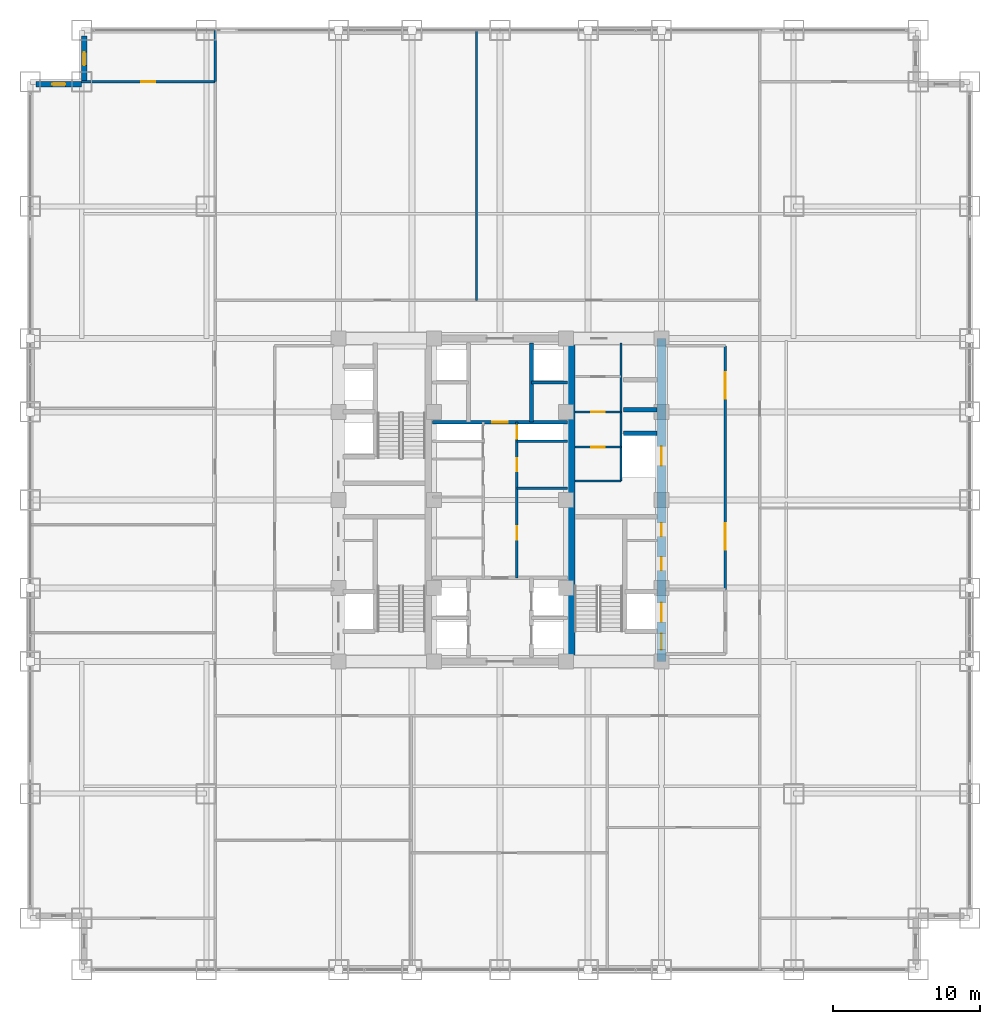
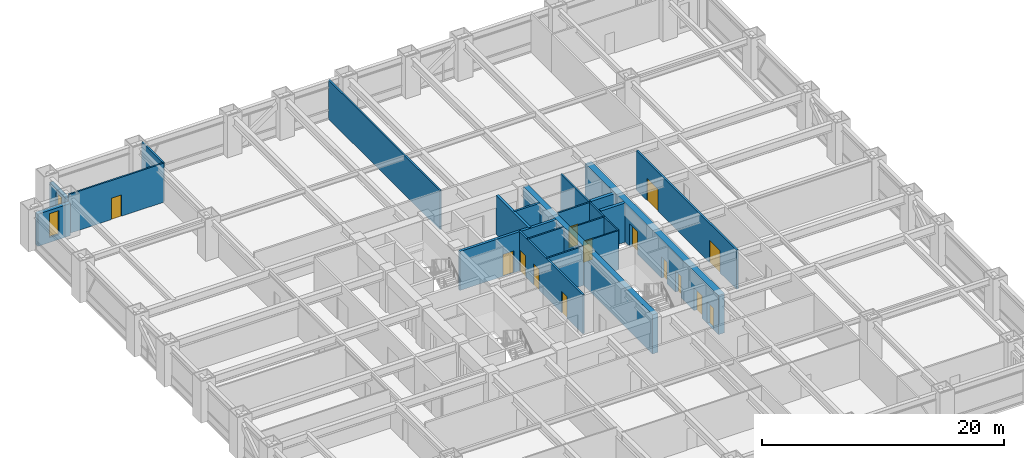
# One storey, part 26 of 28: 20 walls, 14 doors, 2 windows, 16 openings.
"""IFC4 building model written with IfcOpenShell, lengths in metres."""

from ifc_helpers import new_model, si_unit, direction, frame, frame_2d, origin, place, context, subcontext, project, spatial, rectangle, extrude, source, transform, mapped, material, layer, layer_set, type_object, element, fill, save


model = new_model("IFC4")

# Units and contexts
model_context = context("Model", 3, precision=1e-05, world=origin(), true_north=direction((0.0, 1.0)))
body_context = subcontext(model_context, "Body", "Model", "MODEL_VIEW")
ifc_project = project(units=[si_unit("LENGTHUNIT", "METRE"), si_unit("AREAUNIT", "SQUARE_METRE"), si_unit("VOLUMEUNIT", "CUBIC_METRE"), si_unit("PLANEANGLEUNIT", "RADIAN"), si_unit("MASSUNIT", "GRAM", prefix="KILO")], contexts=[model_context])

# Site, building, storey
site_placement = place(None, origin())
site = spatial("IfcSite", under=ifc_project, at=site_placement, CompositionType="ELEMENT")
building_placement = place(site_placement, origin())
building = spatial("IfcBuilding", under=site, at=building_placement, Name="Khorayat Bourse Tower", CompositionType="ELEMENT")
storey_placement = place(building_placement, frame((0.0, 0.0, 62.0)))
storey = spatial("IfcBuildingStorey", under=building, at=storey_placement, Name="L13", CompositionType="ELEMENT", Elevation=62.0)

# Wall, openings, doors
ifc_material_1 = material(Name="Concrete C60/75", Category="concrete")
ifc_layer_1 = layer(ifc_material_1, 0.60009765625)
ifc_layer_set_1 = layer_set([ifc_layer_1], Name="Concrete C60/75")
wall_type_1 = type_object("IfcWallType", Name="WAL-CORE-600", PredefinedType="SHEAR", material=ifc_layer_set_1)
shared_shape_1 = source(origin(), body_context, "Body", "SweptSolid", [
    extrude(rectangle(XDim=22.0, YDim=0.60009765625, at=frame_2d((11.0, 0.0))), origin(), (0.0, 0.0, 1.0), 3.93994140625),
])
wall_1_placement = place(storey_placement, frame((11.0, -11.0, 0.0), z_axis=(0.0, 0.0, 1.0), x_axis=(0.0, 1.0, 0.0)))
wall_1 = element("IfcWall", 1, at=wall_1_placement, inside=storey, type_object=wall_type_1, Name="L13 Core Shear Wall CORE-E", PredefinedType="SHEAR", context=body_context, shape_type="MappedRepresentation", body=[
    mapped(shared_shape_1, transform((0.0, 0.0, 0.0), scale=1.0)),
])
shared_shape_2 = source(origin(), body_context, "Body", "SweptSolid", [
    extrude(rectangle(XDim=1.10009765625, YDim=2.199951171875, at=frame_2d((0.550048828125, 1.10009765625))), frame((0.0, 0.31005859375, 0.0), z_axis=(0.0, -1.0, 0.0), x_axis=(1.0, 0.0, 0.0)), (0.0, 0.0, 1.0), 0.6201171875),
])
opening_1_placement = place(wall_1_placement, frame((0.800048828125, 0.0, 0.0)))
opening_1 = element("IfcOpeningElement", 2, at=opening_1_placement, cuts=wall_1, Name="Opening DI-01", PredefinedType="OPENING", context=body_context, shape_type="MappedRepresentation", body=[
    mapped(shared_shape_2, transform((0.0, 0.0, 0.0), scale=1.0)),
])
shared_shape_3 = source(origin(), body_context, "Body", "SweptSolid", [
    extrude(rectangle(XDim=0.89990234375, YDim=2.14990234375, at=frame_2d((0.449951171875, 1.074951171875))), frame((0.0, 0.31005859375, 0.0), z_axis=(0.0, -1.0, 0.0), x_axis=(1.0, 0.0, 0.0)), (0.0, 0.0, 1.0), 0.6201171875),
])
opening_2_placement = place(wall_1_placement, frame((6.199951171875, 0.0, 0.0)))
opening_2 = element("IfcOpeningElement", 3, at=opening_2_placement, cuts=wall_1, Name="Opening DI-06", PredefinedType="OPENING", context=body_context, shape_type="MappedRepresentation", body=[
    mapped(shared_shape_3, transform((0.0, 0.0, 0.0), scale=1.0)),
])
opening_3_placement = place(wall_1_placement, frame((8.52490234375, 0.0, 0.0)))
opening_3 = element("IfcOpeningElement", 4, at=opening_3_placement, cuts=wall_1, Name="Opening DI-06", PredefinedType="OPENING", context=body_context, shape_type="MappedRepresentation", body=[
    mapped(shared_shape_3, transform((0.0, 0.0, 0.0), scale=1.0)),
])
shared_shape_4 = source(origin(), body_context, "Body", "SweptSolid", [
    extrude(rectangle(XDim=1.300048828125, YDim=2.300048828125, at=frame_2d((0.64990234375, 1.14990234375))), frame((0.0, 0.31005859375, 0.0), z_axis=(0.0, -1.0, 0.0), x_axis=(1.0, 0.0, 0.0)), (0.0, 0.0, 1.0), 0.6201171875),
])
opening_4_placement = place(wall_1_placement, frame((2.699951171875, 0.0, 0.0)))
opening_4 = element("IfcOpeningElement", 5, at=opening_4_placement, cuts=wall_1, Name="Opening LD-02", PredefinedType="OPENING", context=body_context, shape_type="MappedRepresentation", body=[
    mapped(shared_shape_4, transform((0.0, 0.0, 0.0), scale=1.0)),
])
opening_5_placement = place(wall_1_placement, frame((13.35009765625, 0.0, 0.0)))
opening_5 = element("IfcOpeningElement", 6, at=opening_5_placement, cuts=wall_1, Name="Opening LD-02", PredefinedType="OPENING", context=body_context, shape_type="MappedRepresentation", body=[
    mapped(shared_shape_4, transform((0.0, 0.0, 0.0), scale=1.0)),
])
ifc_material_2 = material(Name="Fire-rated steel acoustic leaf", Category="steel")
door_type_1 = type_object("IfcDoorType", Name="DR-INT-STAIR-1100", OperationType="NOTDEFINED", PredefinedType="DOOR", material=ifc_material_2)
shared_shape_5 = source(origin(), body_context, "Body", "SweptSolid", [
    extrude(rectangle(XDim=1.10009765625, YDim=2.199951171875, at=frame_2d((0.550048828125, 1.10009765625))), frame((0.0, 0.02490234375, 0.0), z_axis=(0.0, -1.0, 0.0), x_axis=(1.0, 0.0, 0.0)), (0.0, 0.0, 1.0), 0.050048828125),
])
door_1_placement = place(opening_1_placement, origin())
door_1 = element("IfcDoor", 7, at=door_1_placement, inside=storey, type_object=door_type_1, Name="L13 Exit Stair 3 Door", OperationType="SINGLE_SWING_LEFT", OverallHeight=2.199951171875, OverallWidth=1.10009765625, PredefinedType="DOOR", context=body_context, shape_type="MappedRepresentation", body=[
    mapped(shared_shape_5, transform((0.0, 0.0, 0.0), scale=1.0)),
])
fill(opening_1, door_1)
ifc_material_3 = material(Name="Moisture-resistant laminate washroom door")
door_type_2 = type_object("IfcDoorType", Name="DR-INT-WC-900", OperationType="NOTDEFINED", PredefinedType="DOOR", material=ifc_material_3)
shared_shape_6 = source(origin(), body_context, "Body", "SweptSolid", [
    extrude(rectangle(XDim=0.89990234375, YDim=2.14990234375, at=frame_2d((0.449951171875, 1.074951171875))), frame((0.0, 0.02490234375, 0.0), z_axis=(0.0, -1.0, 0.0), x_axis=(1.0, 0.0, 0.0)), (0.0, 0.0, 1.0), 0.050048828125),
])
door_2_placement = place(opening_2_placement, origin())
door_2 = element("IfcDoor", 8, at=door_2_placement, inside=storey, type_object=door_type_2, Name="L13 Telecom Closet Door", OperationType="SINGLE_SWING_LEFT", OverallHeight=2.14990234375, OverallWidth=0.89990234375, PredefinedType="DOOR", context=body_context, shape_type="MappedRepresentation", body=[
    mapped(shared_shape_6, transform((0.0, 0.0, 0.0), scale=1.0)),
])
fill(opening_2, door_2)
door_3_placement = place(opening_3_placement, origin())
door_3 = element("IfcDoor", 9, at=door_3_placement, inside=storey, type_object=door_type_2, Name="L13 Stationery Store Door", OperationType="SINGLE_SWING_RIGHT", OverallHeight=2.14990234375, OverallWidth=0.89990234375, PredefinedType="DOOR", context=body_context, shape_type="MappedRepresentation", body=[
    mapped(shared_shape_6, transform((0.0, 0.0, 0.0), scale=1.0)),
])
fill(opening_3, door_3)
ifc_material_4 = material(Name="Fire-rated stainless-steel sliding landing door", Category="steel")
door_type_3 = type_object("IfcDoorType", Name="DR-LIFT-FF-1300", OperationType="NOTDEFINED", PredefinedType="DOOR", material=ifc_material_4)
shared_shape_7 = source(origin(), body_context, "Body", "SweptSolid", [
    extrude(rectangle(XDim=1.300048828125, YDim=2.300048828125, at=frame_2d((0.64990234375, 1.14990234375))), frame((0.0, 0.02490234375, 0.0), z_axis=(0.0, -1.0, 0.0), x_axis=(1.0, 0.0, 0.0)), (0.0, 0.0, 1.0), 0.050048828125),
])
door_4_placement = place(opening_4_placement, origin())
door_4 = element("IfcDoor", 10, at=door_4_placement, inside=storey, type_object=door_type_3, Name="L13 Lift FFL-02 Sliding Landing Door", OperationType="SLIDING_TO_LEFT", OverallHeight=2.300048828125, OverallWidth=1.300048828125, PredefinedType="DOOR", context=body_context, shape_type="MappedRepresentation", body=[
    mapped(shared_shape_7, transform((0.0, 0.0, 0.0), scale=1.0)),
])
fill(opening_4, door_4)
door_5_placement = place(opening_5_placement, origin())
door_5 = element("IfcDoor", 11, at=door_5_placement, inside=storey, type_object=door_type_3, Name="L13 Lift SVL-01 Sliding Landing Door", OperationType="SLIDING_TO_LEFT", OverallHeight=2.300048828125, OverallWidth=1.300048828125, PredefinedType="DOOR", context=body_context, shape_type="MappedRepresentation", body=[
    mapped(shared_shape_7, transform((0.0, 0.0, 0.0), scale=1.0)),
])
fill(opening_5, door_5)

# Wall
ifc_material_5 = material(Name="Concrete C52/65", Category="concrete")
ifc_layer_2 = layer(ifc_material_5, 0.5)
ifc_layer_set_2 = layer_set([ifc_layer_2], Name="Concrete C52/65")
wall_type_2 = type_object("IfcWallType", Name="WAL-CORE-500", PredefinedType="SHEAR", material=ifc_layer_set_2)
shared_shape_8 = source(origin(), body_context, "Body", "SweptSolid", [
    extrude(rectangle(XDim=21.39990234375, YDim=0.5, at=frame_2d((10.699951171875, 0.0))), origin(), (0.0, 0.0, 1.0), 3.93994140625),
])
wall_2_placement = place(storey_placement, frame((4.85009765625, -10.699951171875, 0.0), z_axis=(0.0, 0.0, 1.0), x_axis=(0.0, 1.0, 0.0)))
element("IfcWall", 12, at=wall_2_placement, inside=storey, type_object=wall_type_2, Name="L13 Core Shear Wall PIER-E", PredefinedType="SHEAR", context=body_context, shape_type="MappedRepresentation", body=[
    mapped(shared_shape_8, transform((0.0, 0.0, 0.0), scale=1.0)),
])

# Wall, opening, window
ifc_material_6 = material(Name="Precast concrete C45/55", Category="concrete")
ifc_layer_3 = layer(ifc_material_6, 0.3798828125)
ifc_layer_set_3 = layer_set([ifc_layer_3], Name="Precast concrete C45/55")
wall_type_3 = type_object("IfcWallType", Name="WAL-EXT-STONE-380", PredefinedType="STANDARD", material=ifc_layer_set_3)
shared_shape_9 = source(origin(), body_context, "Body", "SweptSolid", [
    extrude(rectangle(XDim=3.1201171875, YDim=0.3798828125, at=frame_2d((1.56005859375, 0.0))), origin(), (0.0, 0.0, 1.0), 3.2451171875),
])
wall_3_placement = place(storey_placement, frame((-28.31005859375, 28.5, 0.0), z_axis=(0.0, 0.0, 1.0), x_axis=(0.0, 1.0, 0.0)))
wall_3 = element("IfcWall", 13, at=wall_3_placement, inside=storey, type_object=wall_type_3, Name="L13 Re-Entrant Notch Limestone Wall NW-V", PredefinedType="STANDARD", context=body_context, shape_type="MappedRepresentation", body=[
    mapped(shared_shape_9, transform((0.0, 0.0, 0.0), scale=1.0)),
])
shared_shape_10 = source(origin(), body_context, "Body", "SweptSolid", [
    extrude(rectangle(XDim=0.89990234375, YDim=2.39990234375, at=frame_2d((0.449951171875, 1.199951171875))), frame((0.0, 0.199951171875, 0.0), z_axis=(0.0, -1.0, 0.0), x_axis=(1.0, 0.0, 0.0)), (0.0, 0.0, 1.0), 0.39990234375),
])
opening_6_placement = place(wall_3_placement, frame((1.110107421875, 0.0, 0.5)))
opening_6 = element("IfcOpeningElement", 14, at=opening_6_placement, cuts=wall_3, Name="Opening WN-03", PredefinedType="OPENING", context=body_context, shape_type="MappedRepresentation", body=[
    mapped(shared_shape_10, transform((0.0, 0.0, 0.0), scale=1.0)),
])
ifc_material_7 = material(Name="Deep-reveal solar-control double glazing", Category="glass")
window_type = type_object("IfcWindowType", Name="WIN-SLOT-900x2400", PartitioningType="SINGLE_PANEL", PredefinedType="WINDOW", material=ifc_material_7)
shared_shape_11 = source(origin(), body_context, "Body", "SweptSolid", [
    extrude(rectangle(XDim=0.89990234375, YDim=2.39990234375, at=frame_2d((0.449951171875, 1.199951171875))), frame((0.0, 0.030029296875, 0.0), z_axis=(0.0, -1.0, 0.0), x_axis=(1.0, 0.0, 0.0)), (0.0, 0.0, 1.0), 0.06005859375),
])
window_1_placement = place(opening_6_placement, origin())
window_1 = element("IfcWindow", 15, at=window_1_placement, inside=storey, type_object=window_type, Name="L13 Facade Window 1", OverallHeight=2.39990234375, OverallWidth=0.89990234375, PartitioningType="SINGLE_PANEL", PredefinedType="WINDOW", context=body_context, shape_type="MappedRepresentation", body=[
    mapped(shared_shape_11, transform((0.0, 0.0, 0.0), scale=1.0)),
])
fill(opening_6, window_1)

wall_4_placement = place(storey_placement, frame((-28.5, 28.31005859375, 0.0), z_axis=(0.0, 0.0, 1.0), x_axis=(-1.0, 0.0, 0.0)))
wall_4 = element("IfcWall", 16, at=wall_4_placement, inside=storey, type_object=wall_type_3, Name="L13 Re-Entrant Notch Limestone Wall NW-H", PredefinedType="STANDARD", context=body_context, shape_type="MappedRepresentation", body=[
    mapped(shared_shape_9, transform((0.0, 0.0, 0.0), scale=1.0)),
])
opening_7_placement = place(wall_4_placement, frame((1.110107421875, 0.0, 0.5)))
opening_7 = element("IfcOpeningElement", 17, at=opening_7_placement, cuts=wall_4, Name="Opening WN-03", PredefinedType="OPENING", context=body_context, shape_type="MappedRepresentation", body=[
    mapped(shared_shape_10, transform((0.0, 0.0, 0.0), scale=1.0)),
])
window_2_placement = place(opening_7_placement, origin())
window_2 = element("IfcWindow", 18, at=window_2_placement, inside=storey, type_object=window_type, Name="L13 Facade Window 1", OverallHeight=2.39990234375, OverallWidth=0.89990234375, PartitioningType="SINGLE_PANEL", PredefinedType="WINDOW", context=body_context, shape_type="MappedRepresentation", body=[
    mapped(shared_shape_11, transform((0.0, 0.0, 0.0), scale=1.0)),
])
fill(opening_7, window_2)

# Walls
ifc_material_8 = material(Name="Concrete C50/60", Category="concrete")
ifc_layer_4 = layer(ifc_material_8, 0.300048828125)
ifc_layer_set_4 = layer_set([ifc_layer_4], Name="Concrete C50/60")
wall_type_4 = type_object("IfcWallType", Name="WAL-SHAFT-300", PredefinedType="SHEAR", material=ifc_layer_set_4)
shared_shape_12 = source(origin(), body_context, "Body", "SweptSolid", [
    extrude(rectangle(XDim=2.300048828125, YDim=0.300048828125, at=frame_2d((1.14990234375, 0.0))), origin(), (0.0, 0.0, 1.0), 3.93994140625),
])
for number, where, z_axis, x_axis, name in (
    (19, (8.39990234375, 4.550048828125, 0.0), (0.0, 0.0, 1.0), (1.0, 0.0, 0.0), "L13 Partition WAL-L13-EPIER-SVLN"),
    (20, (8.39990234375, 6.14990234375, 0.0), (0.0, 0.0, 1.0), (1.0, 0.0, 0.0), "L13 Partition WAL-L13-EPIER-H3S"),
):
    element("IfcWall", number, at=place(storey_placement, frame(where, z_axis=z_axis, x_axis=x_axis)), inside=storey, type_object=wall_type_4, Name=name, PredefinedType="SHEAR", context=body_context, shape_type="MappedRepresentation", body=[
        mapped(shared_shape_12, transform((0.0, 0.0, 0.0), scale=1.0)),
    ])
ifc_material_9 = material(Name="Moisture-resistant masonry partition", Category="masonry")
ifc_layer_5 = layer(ifc_material_9, 0.139892578125)
ifc_layer_set_5 = layer_set([ifc_layer_5], Name="Moisture-resistant masonry partition")
wall_type_5 = type_object("IfcWallType", Name="WAL-PART-WET-140", PredefinedType="PARTITIONING", material=ifc_layer_set_5)
shared_shape_13 = source(origin(), body_context, "Body", "SweptSolid", [
    extrude(rectangle(XDim=9.39990234375, YDim=0.139892578125, at=frame_2d((4.699951171875, 0.0))), origin(), (0.0, 0.0, 1.0), 3.93994140625),
])
wall_5_placement = place(storey_placement, frame((8.25, 1.300048828125, 0.0), z_axis=(0.0, 0.0, 1.0), x_axis=(0.0, 1.0, 0.0)))
element("IfcWall", 21, at=wall_5_placement, inside=storey, type_object=wall_type_5, Name="L13 Partition WAL-L13-ECORE-E", PredefinedType="PARTITIONING", context=body_context, shape_type="MappedRepresentation", body=[
    mapped(shared_shape_13, transform((0.0, 0.0, 0.0), scale=1.0)),
])
shared_shape_14 = source(origin(), body_context, "Body", "SweptSolid", [
    extrude(rectangle(XDim=3.14990234375, YDim=0.139892578125, at=frame_2d((1.574951171875, 0.0))), origin(), (0.0, 0.0, 1.0), 3.93994140625),
])
wall_6_placement = place(storey_placement, frame((5.10009765625, 1.300048828125, 0.0), z_axis=(0.0, 0.0, 1.0), x_axis=(1.0, 0.0, 0.0)))
element("IfcWall", 22, at=wall_6_placement, inside=storey, type_object=wall_type_5, Name="L13 Partition WAL-L13-ECORE-S", PredefinedType="PARTITIONING", context=body_context, shape_type="MappedRepresentation", body=[
    mapped(shared_shape_14, transform((0.0, 0.0, 0.0), scale=1.0)),
])

# Wall, opening, door
wall_7_placement = place(storey_placement, frame((5.10009765625, 6.0, 0.0), z_axis=(0.0, 0.0, 1.0), x_axis=(1.0, 0.0, 0.0)))
wall_7 = element("IfcWall", 23, at=wall_7_placement, inside=storey, type_object=wall_type_5, Name="L13 Partition WAL-L13-ECW-H1", PredefinedType="PARTITIONING", context=body_context, shape_type="MappedRepresentation", body=[
    mapped(shared_shape_14, transform((0.0, 0.0, 0.0), scale=1.0)),
])
shared_shape_15 = source(origin(), body_context, "Body", "SweptSolid", [
    extrude(rectangle(XDim=0.89990234375, YDim=2.14990234375, at=frame_2d((0.449951171875, 1.074951171875))), frame((0.0, 0.079833984375, 0.0), z_axis=(0.0, -1.0, 0.0), x_axis=(1.0, 0.0, 0.0)), (0.0, 0.0, 1.0), 0.159912109375),
])
opening_8_placement = place(wall_7_placement, frame((1.1298828125, 0.0, 0.0)))
opening_8 = element("IfcOpeningElement", 24, at=opening_8_placement, cuts=wall_7, Name="Opening DI-06", PredefinedType="OPENING", context=body_context, shape_type="MappedRepresentation", body=[
    mapped(shared_shape_15, transform((0.0, 0.0, 0.0), scale=1.0)),
])
door_6_placement = place(opening_8_placement, origin())
door_6 = element("IfcDoor", 25, at=door_6_placement, inside=storey, type_object=door_type_2, Name="L13 Shared Washroom Door", OperationType="SINGLE_SWING_RIGHT", OverallHeight=2.14990234375, OverallWidth=0.89990234375, PredefinedType="DOOR", context=body_context, shape_type="MappedRepresentation", body=[
    mapped(shared_shape_6, transform((0.0, 0.0, 0.0), scale=1.0)),
])
fill(opening_8, door_6)

wall_8_placement = place(storey_placement, frame((5.10009765625, 3.60009765625, 0.0), z_axis=(0.0, 0.0, 1.0), x_axis=(1.0, 0.0, 0.0)))
wall_8 = element("IfcWall", 26, at=wall_8_placement, inside=storey, type_object=wall_type_5, Name="L13 Partition WAL-L13-ECW-H2", PredefinedType="PARTITIONING", context=body_context, shape_type="MappedRepresentation", body=[
    mapped(shared_shape_14, transform((0.0, 0.0, 0.0), scale=1.0)),
])
opening_9_placement = place(wall_8_placement, frame((1.1298828125, 0.0, 0.0)))
opening_9 = element("IfcOpeningElement", 27, at=opening_9_placement, cuts=wall_8, Name="Opening DI-06", PredefinedType="OPENING", context=body_context, shape_type="MappedRepresentation", body=[
    mapped(shared_shape_15, transform((0.0, 0.0, 0.0), scale=1.0)),
])
door_7_placement = place(opening_9_placement, origin())
door_7 = element("IfcDoor", 28, at=door_7_placement, inside=storey, type_object=door_type_2, Name="L13 Staff Washroom Door", OperationType="SINGLE_SWING_LEFT", OverallHeight=2.14990234375, OverallWidth=0.89990234375, PredefinedType="DOOR", context=body_context, shape_type="MappedRepresentation", body=[
    mapped(shared_shape_6, transform((0.0, 0.0, 0.0), scale=1.0)),
])
fill(opening_9, door_7)

# Wall, openings, doors
ifc_material_10 = material(Name="Gypsum plasterboard acoustic stud wall")
ifc_layer_6 = layer(ifc_material_10, 0.179931640625)
ifc_layer_set_6 = layer_set([ifc_layer_6], Name="Gypsum plasterboard acoustic stud wall")
wall_type_6 = type_object("IfcWallType", Name="WAL-PART-CORR-180", PredefinedType="PARTITIONING", material=ifc_layer_set_6)
shared_shape_16 = source(origin(), body_context, "Body", "SweptSolid", [
    extrude(rectangle(XDim=16.60009765625, YDim=0.179931640625, at=frame_2d((8.300048828125, 0.0))), origin(), (0.0, 0.0, 1.0), 3.93994140625),
])
wall_9_placement = place(storey_placement, frame((15.35009765625, -6.10009765625, 0.0), z_axis=(0.0, 0.0, 1.0), x_axis=(0.0, 1.0, 0.0)))
wall_9 = element("IfcWall", 29, at=wall_9_placement, inside=storey, type_object=wall_type_6, Name="L13 Partition WAL-L13-ELOB-E", PredefinedType="PARTITIONING", context=body_context, shape_type="MappedRepresentation", body=[
    mapped(shared_shape_16, transform((0.0, 0.0, 0.0), scale=1.0)),
])
shared_shape_17 = source(origin(), body_context, "Body", "SweptSolid", [
    extrude(rectangle(XDim=1.800048828125, YDim=2.25, at=frame_2d((0.89990234375, 1.125))), frame((0.0, 0.099853515625, 0.0), z_axis=(0.0, -1.0, 0.0), x_axis=(1.0, 0.0, 0.0)), (0.0, 0.0, 1.0), 0.199951171875),
])
opening_10_placement = place(wall_9_placement, frame((2.699951171875, 0.0, 0.0)))
opening_10 = element("IfcOpeningElement", 30, at=opening_10_placement, cuts=wall_9, Name="Opening DI-03", PredefinedType="OPENING", context=body_context, shape_type="MappedRepresentation", body=[
    mapped(shared_shape_17, transform((0.0, 0.0, 0.0), scale=1.0)),
])
opening_11_placement = place(wall_9_placement, frame((13.0, 0.0, 0.0)))
opening_11 = element("IfcOpeningElement", 31, at=opening_11_placement, cuts=wall_9, Name="Opening DI-03", PredefinedType="OPENING", context=body_context, shape_type="MappedRepresentation", body=[
    mapped(shared_shape_17, transform((0.0, 0.0, 0.0), scale=1.0)),
])
ifc_material_11 = material(Name="Fire-rated hardwood vision-panel double leaf", Category="wood")
door_type_4 = type_object("IfcDoorType", Name="DR-INT-CORR-1800", OperationType="NOTDEFINED", PredefinedType="DOOR", material=ifc_material_11)
shared_shape_18 = source(origin(), body_context, "Body", "SweptSolid", [
    extrude(rectangle(XDim=1.800048828125, YDim=2.25, at=frame_2d((0.89990234375, 1.125))), frame((0.0, 0.02490234375, 0.0), z_axis=(0.0, -1.0, 0.0), x_axis=(1.0, 0.0, 0.0)), (0.0, 0.0, 1.0), 0.050048828125),
])
door_8_placement = place(opening_10_placement, origin())
door_8 = element("IfcDoor", 32, at=door_8_placement, inside=storey, type_object=door_type_4, Name="L13 East Core Lobby South Door", OperationType="SINGLE_SWING_RIGHT", OverallHeight=2.25, OverallWidth=1.800048828125, PredefinedType="DOOR", context=body_context, shape_type="MappedRepresentation", body=[
    mapped(shared_shape_18, transform((0.0, 0.0, 0.0), scale=1.0)),
])
fill(opening_10, door_8)
door_9_placement = place(opening_11_placement, origin())
door_9 = element("IfcDoor", 33, at=door_9_placement, inside=storey, type_object=door_type_4, Name="L13 East Core Lobby North Door", OperationType="SINGLE_SWING_LEFT", OverallHeight=2.25, OverallWidth=1.800048828125, PredefinedType="DOOR", context=body_context, shape_type="MappedRepresentation", body=[
    mapped(shared_shape_18, transform((0.0, 0.0, 0.0), scale=1.0)),
])
fill(opening_11, door_9)

# Walls
ifc_material_12 = material(Name="Gypsum plasterboard twin-frame partition")
ifc_layer_7 = layer(ifc_material_12, 0.14990234375)
ifc_layer_set_7 = layer_set([ifc_layer_7], Name="Gypsum plasterboard twin-frame partition")
wall_type_7 = type_object("IfcWallType", Name="WAL-PART-SUITE-150", PredefinedType="PARTITIONING", material=ifc_layer_set_7)
shared_shape_19 = source(origin(), body_context, "Body", "SweptSolid", [
    extrude(rectangle(XDim=3.4501953125, YDim=0.14990234375, at=frame_2d((1.72509765625, 0.0))), origin(), (0.0, 0.0, 1.0), 3.93994140625),
])
wall_10_placement = place(storey_placement, frame((1.14990234375, 4.0, 0.0), z_axis=(0.0, 0.0, 1.0), x_axis=(1.0, 0.0, 0.0)))
element("IfcWall", 34, at=wall_10_placement, inside=storey, type_object=wall_type_7, Name="L13 Partition WAL-L13-CRSE-S", PredefinedType="PARTITIONING", context=body_context, shape_type="MappedRepresentation", body=[
    mapped(shared_shape_19, transform((0.0, 0.0, 0.0), scale=1.0)),
])
shared_shape_20 = source(origin(), body_context, "Body", "SweptSolid", [
    extrude(rectangle(XDim=5.39990234375, YDim=0.25, at=frame_2d((2.699951171875, 0.0))), origin(), (0.0, 0.0, 1.0), 3.93994140625),
])
wall_11_placement = place(storey_placement, frame((2.14990234375, 5.300048828125, 0.0), z_axis=(0.0, 0.0, 1.0), x_axis=(0.0, 1.0, 0.0)))
element("IfcWall", 35, at=wall_11_placement, inside=storey, type_object=wall_type_4, Name="L13 Partition WAL-L13-B2-E", PredefinedType="SHEAR", context=body_context, shape_type="MappedRepresentation", body=[
    mapped(shared_shape_20, transform((0.0, 0.0, 0.0), scale=1.0)),
])
shared_shape_21 = source(origin(), body_context, "Body", "SweptSolid", [
    extrude(rectangle(XDim=2.4501953125, YDim=0.199951171875, at=frame_2d((1.22509765625, 0.0))), origin(), (0.0, 0.0, 1.0), 3.93994140625),
])
wall_12_placement = place(storey_placement, frame((2.14990234375, 8.0, 0.0), z_axis=(0.0, 0.0, 1.0), x_axis=(1.0, 0.0, 0.0)))
element("IfcWall", 36, at=wall_12_placement, inside=storey, type_object=wall_type_4, Name="L13 Partition WAL-L13-B2-ME", PredefinedType="SHEAR", context=body_context, shape_type="MappedRepresentation", body=[
    mapped(shared_shape_21, transform((0.0, 0.0, 0.0), scale=1.0)),
])

# Wall, opening, door
shared_shape_22 = source(origin(), body_context, "Body", "SweptSolid", [
    extrude(rectangle(XDim=9.2001953125, YDim=0.25, at=frame_2d((4.60009765625, 0.0))), origin(), (0.0, 0.0, 1.0), 3.93994140625),
])
wall_13_placement = place(storey_placement, frame((-4.60009765625, 5.300048828125, 0.0), z_axis=(0.0, 0.0, 1.0), x_axis=(1.0, 0.0, 0.0)))
wall_13 = element("IfcWall", 37, at=wall_13_placement, inside=storey, type_object=wall_type_4, Name="L13 Partition WAL-L13-B2-S", PredefinedType="SHEAR", context=body_context, shape_type="MappedRepresentation", body=[
    mapped(shared_shape_22, transform((0.0, 0.0, 0.0), scale=1.0)),
])
shared_shape_23 = source(origin(), body_context, "Body", "SweptSolid", [
    extrude(rectangle(XDim=1.050048828125, YDim=2.199951171875, at=frame_2d((0.52490234375, 1.10009765625))), frame((0.0, 0.135009765625, 0.0), z_axis=(0.0, -1.0, 0.0), x_axis=(1.0, 0.0, 0.0)), (0.0, 0.0, 1.0), 0.27001953125),
])
opening_12_placement = place(wall_13_placement, frame((4.074951171875, 0.0, 0.0)))
opening_12 = element("IfcOpeningElement", 38, at=opening_12_placement, cuts=wall_13, Name="Opening DI-04", PredefinedType="OPENING", context=body_context, shape_type="MappedRepresentation", body=[
    mapped(shared_shape_23, transform((0.0, 0.0, 0.0), scale=1.0)),
])
ifc_material_13 = material(Name="Fire-rated oak veneer suite entrance door")
door_type_5 = type_object("IfcDoorType", Name="DR-INT-SUITE-1050", OperationType="NOTDEFINED", PredefinedType="DOOR", material=ifc_material_13)
shared_shape_24 = source(origin(), body_context, "Body", "SweptSolid", [
    extrude(rectangle(XDim=1.050048828125, YDim=2.199951171875, at=frame_2d((0.52490234375, 1.10009765625))), frame((0.0, 0.02490234375, 0.0), z_axis=(0.0, -1.0, 0.0), x_axis=(1.0, 0.0, 0.0)), (0.0, 0.0, 1.0), 0.050048828125),
])
door_10_placement = place(opening_12_placement, origin())
door_10 = element("IfcDoor", 39, at=door_10_placement, inside=storey, type_object=door_type_5, Name="L13 Core Spine North Door", OperationType="SINGLE_SWING_RIGHT", OverallHeight=2.199951171875, OverallWidth=1.050048828125, PredefinedType="DOOR", context=body_context, shape_type="MappedRepresentation", body=[
    mapped(shared_shape_24, transform((0.0, 0.0, 0.0), scale=1.0)),
])
fill(opening_12, door_10)

# Wall
shared_shape_25 = source(origin(), body_context, "Body", "SweptSolid", [
    extrude(rectangle(XDim=3.4501953125, YDim=0.139892578125, at=frame_2d((1.72509765625, 0.0))), origin(), (0.0, 0.0, 1.0), 3.93994140625),
])
wall_14_placement = place(storey_placement, frame((1.14990234375, 0.800048828125, 0.0), z_axis=(0.0, 0.0, 1.0), x_axis=(1.0, 0.0, 0.0)))
element("IfcWall", 40, at=wall_14_placement, inside=storey, type_object=wall_type_5, Name="L13 Partition WAL-L13-CME-D1", PredefinedType="PARTITIONING", context=body_context, shape_type="MappedRepresentation", body=[
    mapped(shared_shape_25, transform((0.0, 0.0, 0.0), scale=1.0)),
])

# Wall, openings, doors
shared_shape_26 = source(origin(), body_context, "Body", "SweptSolid", [
    extrude(rectangle(XDim=10.60009765625, YDim=0.179931640625, at=frame_2d((5.300048828125, 0.0))), origin(), (0.0, 0.0, 1.0), 3.93994140625),
])
wall_15_placement = place(storey_placement, frame((1.14990234375, -5.300048828125, 0.0), z_axis=(0.0, 0.0, 1.0), x_axis=(0.0, 1.0, 0.0)))
wall_15 = element("IfcWall", 41, at=wall_15_placement, inside=storey, type_object=wall_type_6, Name="L13 Partition WAL-L13-CME-L", PredefinedType="PARTITIONING", context=body_context, shape_type="MappedRepresentation", body=[
    mapped(shared_shape_26, transform((0.0, 0.0, 0.0), scale=1.0)),
])
shared_shape_27 = source(origin(), body_context, "Body", "SweptSolid", [
    extrude(rectangle(XDim=0.89990234375, YDim=2.14990234375, at=frame_2d((0.449951171875, 1.074951171875))), frame((0.0, 0.099853515625, 0.0), z_axis=(0.0, -1.0, 0.0), x_axis=(1.0, 0.0, 0.0)), (0.0, 0.0, 1.0), 0.199951171875),
])
opening_13_placement = place(wall_15_placement, frame((2.60009765625, 0.0, 0.0)))
opening_13 = element("IfcOpeningElement", 42, at=opening_13_placement, cuts=wall_15, Name="Opening DI-06", PredefinedType="OPENING", context=body_context, shape_type="MappedRepresentation", body=[
    mapped(shared_shape_27, transform((0.0, 0.0, 0.0), scale=1.0)),
])
opening_14_placement = place(wall_15_placement, frame((7.25, 0.0, 0.0)))
opening_14 = element("IfcOpeningElement", 43, at=opening_14_placement, cuts=wall_15, Name="Opening DI-06", PredefinedType="OPENING", context=body_context, shape_type="MappedRepresentation", body=[
    mapped(shared_shape_27, transform((0.0, 0.0, 0.0), scale=1.0)),
])
opening_15_placement = place(wall_15_placement, frame((9.47509765625, 0.0, 0.0)))
opening_15 = element("IfcOpeningElement", 44, at=opening_15_placement, cuts=wall_15, Name="Opening DI-06", PredefinedType="OPENING", context=body_context, shape_type="MappedRepresentation", body=[
    mapped(shared_shape_27, transform((0.0, 0.0, 0.0), scale=1.0)),
])
door_11_placement = place(opening_13_placement, origin())
door_11 = element("IfcDoor", 45, at=door_11_placement, inside=storey, type_object=door_type_2, Name="L13 Female Core Washroom Door", OperationType="SINGLE_SWING_RIGHT", OverallHeight=2.14990234375, OverallWidth=0.89990234375, PredefinedType="DOOR", context=body_context, shape_type="MappedRepresentation", body=[
    mapped(shared_shape_6, transform((0.0, 0.0, 0.0), scale=1.0)),
])
fill(opening_13, door_11)
door_12_placement = place(opening_14_placement, origin())
door_12 = element("IfcDoor", 46, at=door_12_placement, inside=storey, type_object=door_type_2, Name="L13 Smoke Extract Fan Plant Room Door", OperationType="SINGLE_SWING_LEFT", OverallHeight=2.14990234375, OverallWidth=0.89990234375, PredefinedType="DOOR", context=body_context, shape_type="MappedRepresentation", body=[
    mapped(shared_shape_6, transform((0.0, 0.0, 0.0), scale=1.0)),
])
fill(opening_14, door_12)
door_13_placement = place(opening_15_placement, origin())
door_13 = element("IfcDoor", 47, at=door_13_placement, inside=storey, type_object=door_type_2, Name="L13 East Core Riser Door", OperationType="SINGLE_SWING_RIGHT", OverallHeight=2.14990234375, OverallWidth=0.89990234375, PredefinedType="DOOR", context=body_context, shape_type="MappedRepresentation", body=[
    mapped(shared_shape_6, transform((0.0, 0.0, 0.0), scale=1.0)),
])
fill(opening_15, door_13)

# Walls
shared_shape_28 = source(origin(), body_context, "Body", "SweptSolid", [
    extrude(rectangle(XDim=18.39990234375, YDim=0.14990234375, at=frame_2d((9.199951171875, 0.0))), origin(), (0.0, 0.0, 1.0), 3.93994140625),
])
wall_16_placement = place(storey_placement, frame((-1.592041015625, 13.60009765625, 0.0), z_axis=(0.0, 0.0, 1.0), x_axis=(0.0, 1.0, 0.0)))
element("IfcWall", 48, at=wall_16_placement, inside=storey, type_object=wall_type_7, Name="L13 Partition WAL-L13-NDV-1", PredefinedType="PARTITIONING", context=body_context, shape_type="MappedRepresentation", body=[
    mapped(shared_shape_28, transform((0.0, 0.0, 0.0), scale=1.0)),
])
shared_shape_29 = source(origin(), body_context, "Body", "SweptSolid", [
    extrude(rectangle(XDim=3.5, YDim=0.14990234375, at=frame_2d((1.75, 0.0))), origin(), (0.0, 0.0, 1.0), 3.93994140625),
])
wall_17_placement = place(storey_placement, frame((-19.39990234375, 28.5, 0.0), z_axis=(0.0, 0.0, 1.0), x_axis=(0.0, 1.0, 0.0)))
element("IfcWall", 49, at=wall_17_placement, inside=storey, type_object=wall_type_7, Name="L13 Partition WAL-L13-NCW-END", PredefinedType="PARTITIONING", context=body_context, shape_type="MappedRepresentation", body=[
    mapped(shared_shape_29, transform((0.0, 0.0, 0.0), scale=1.0)),
])

# Wall, opening, door
shared_shape_30 = source(origin(), body_context, "Body", "SweptSolid", [
    extrude(rectangle(XDim=9.10009765625, YDim=0.14990234375, at=frame_2d((4.550048828125, 0.0))), origin(), (0.0, 0.0, 1.0), 3.93994140625),
])
wall_18_placement = place(storey_placement, frame((-28.5, 28.5, 0.0), z_axis=(0.0, 0.0, 1.0), x_axis=(1.0, 0.0, 0.0)))
wall_18 = element("IfcWall", 50, at=wall_18_placement, inside=storey, type_object=wall_type_7, Name="L13 Partition WAL-L13-CNW", PredefinedType="PARTITIONING", context=body_context, shape_type="MappedRepresentation", body=[
    mapped(shared_shape_30, transform((0.0, 0.0, 0.0), scale=1.0)),
])
shared_shape_31 = source(origin(), body_context, "Body", "SweptSolid", [
    extrude(rectangle(XDim=0.949951171875, YDim=2.14990234375, at=frame_2d((0.47509765625, 1.074951171875))), frame((0.0, 0.0849609375, 0.0), z_axis=(0.0, -1.0, 0.0), x_axis=(1.0, 0.0, 0.0)), (0.0, 0.0, 1.0), 0.169921875),
])
opening_16_placement = place(wall_18_placement, frame((4.074951171875, 0.0, 0.0)))
opening_16 = element("IfcOpeningElement", 51, at=opening_16_placement, cuts=wall_18, Name="Opening DI-05", PredefinedType="OPENING", context=body_context, shape_type="MappedRepresentation", body=[
    mapped(shared_shape_31, transform((0.0, 0.0, 0.0), scale=1.0)),
])
ifc_material_14 = material(Name="Acoustic oak veneer office door")
door_type_6 = type_object("IfcDoorType", Name="DR-INT-OFFICE-950", OperationType="NOTDEFINED", PredefinedType="DOOR", material=ifc_material_14)
shared_shape_32 = source(origin(), body_context, "Body", "SweptSolid", [
    extrude(rectangle(XDim=0.949951171875, YDim=2.14990234375, at=frame_2d((0.47509765625, 1.074951171875))), frame((0.0, 0.02490234375, 0.0), z_axis=(0.0, -1.0, 0.0), x_axis=(1.0, 0.0, 0.0)), (0.0, 0.0, 1.0), 0.050048828125),
])
door_14_placement = place(opening_16_placement, origin())
door_14 = element("IfcDoor", 52, at=door_14_placement, inside=storey, type_object=door_type_6, Name="L13 North-West Corner Meeting Room Door", OperationType="SINGLE_SWING_LEFT", OverallHeight=2.14990234375, OverallWidth=0.949951171875, PredefinedType="DOOR", context=body_context, shape_type="MappedRepresentation", body=[
    mapped(shared_shape_32, transform((0.0, 0.0, 0.0), scale=1.0)),
])
fill(opening_16, door_14)

save(model, "model.ifc")
